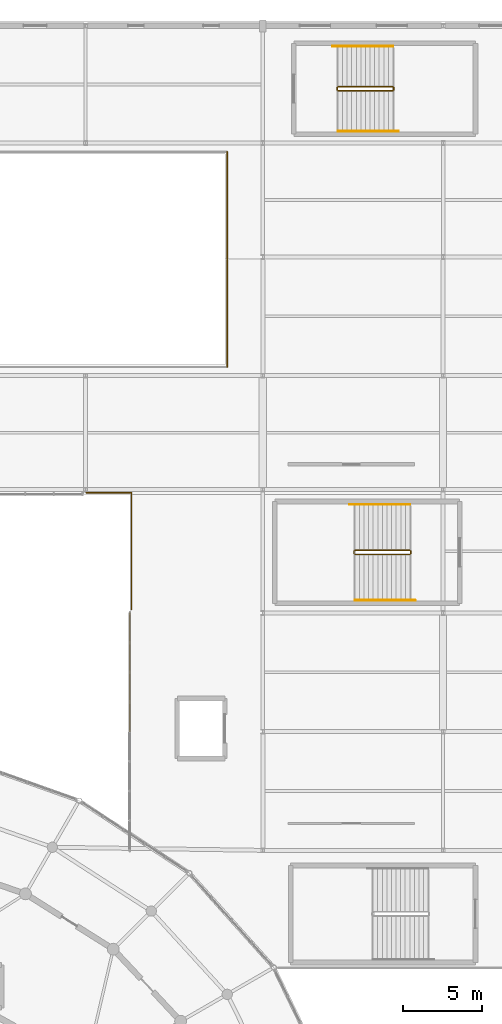
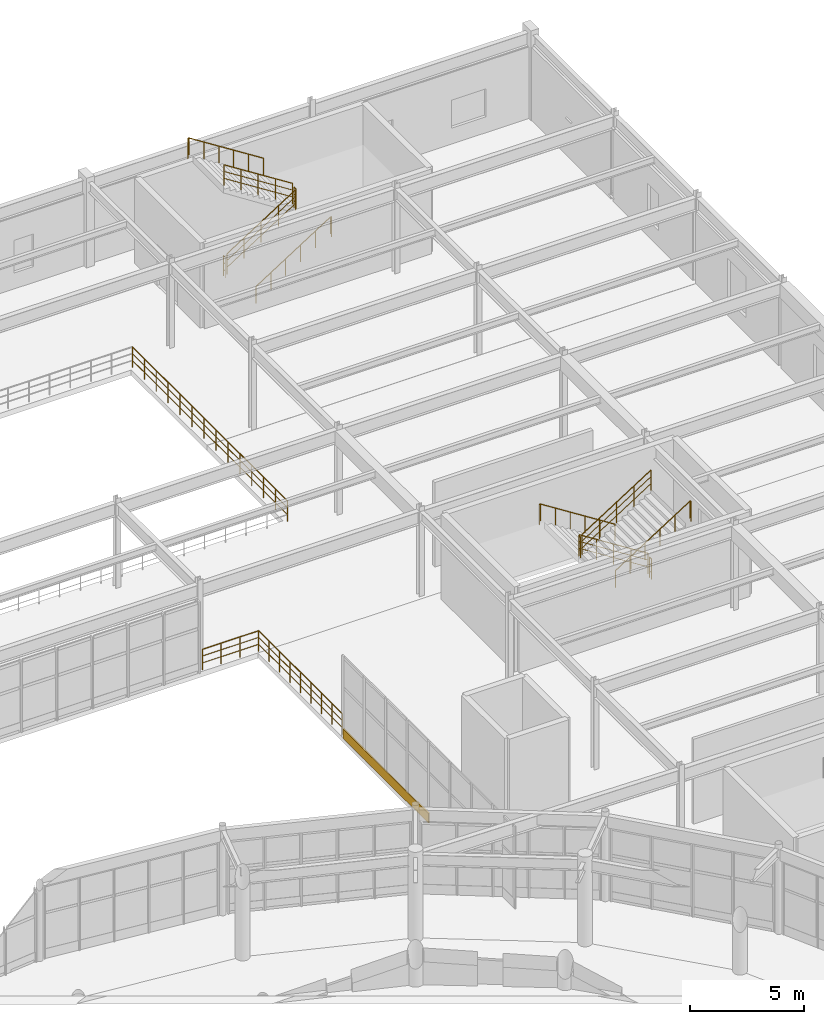
# One storey, part 144 of 144: 15 railings, 1 covering.
"""IFC4 building model written with IfcOpenShell, lengths in metres."""

from ifc_helpers import new_model, si_unit, direction, frame, origin, origin_2d, place, context, subcontext, project, spatial, rectangle, circle, extrude, material, layer, layer_set, type_object, element, save


model = new_model("IFC4")

# Units and contexts
model_context = context("Model", 3, precision=1e-05, world=origin(), true_north=direction((0.0, 1.0)))
body_context = subcontext(model_context, "Body", "Model", "MODEL_VIEW")
ifc_project = project(units=[si_unit("LENGTHUNIT", "METRE"), si_unit("AREAUNIT", "SQUARE_METRE"), si_unit("VOLUMEUNIT", "CUBIC_METRE"), si_unit("PLANEANGLEUNIT", "RADIAN"), si_unit("MASSUNIT", "GRAM", prefix="KILO")], contexts=[model_context])

# Site, building, storey
site_placement = place(None, origin())
site = spatial("IfcSite", under=ifc_project, at=site_placement, CompositionType="ELEMENT")
building_placement = place(site_placement, origin())
building = spatial("IfcBuilding", under=site, at=building_placement, Name="Cinderbank Siding Concert Hall", CompositionType="ELEMENT")
storey_placement = place(building_placement, frame((0.0, 0.0, 5.39990234375)))
storey = spatial("IfcBuildingStorey", under=building, at=storey_placement, Name="L02", CompositionType="ELEMENT", Elevation=5.39990234375)

# Railing
ifc_material_1 = material(Name="Spotted gum glulam timber GL18 (42 MPa)", Category="wood")
railing_type_1 = type_object("IfcRailingType", Name="BAL-01 Auditorium Tier Balustrade 1120mm", PredefinedType="BALUSTRADE", material=ifc_material_1)
railing_1_placement = place(storey_placement, frame((148.14990234375, 96.35009765625, 0.0)))
element("IfcRailing", 1, at=railing_1_placement, inside=storey, type_object=railing_type_1, Name="L02 OR Gallery Balustrade 1", PredefinedType="BALUSTRADE", context=body_context, shape_type="SweptSolid", body=[
    extrude(circle(Radius=0.02392578125, at=origin_2d()), frame((0.0, 0.0, 1.09619140625), z_axis=(0.0, 1.0, 0.0), x_axis=(-1.0, 0.0, 0.0)), (0.0, 0.0, 1.0), 13.599853515625),
    extrude(circle(Radius=0.01611328125, at=origin_2d()), frame((0.0, 0.0, 0.36962890625), z_axis=(0.0, 1.0, 0.0), x_axis=(-1.0, 0.0, 0.0)), (0.0, 0.0, 1.0), 13.599853515625),
    extrude(circle(Radius=0.01611328125, at=origin_2d()), frame((0.0, 0.0, 0.7392578125), z_axis=(0.0, 1.0, 0.0), x_axis=(-1.0, 0.0, 0.0)), (0.0, 0.0, 1.0), 13.599853515625),
    extrude(circle(Radius=0.02099609375, at=origin_2d()), origin(), (0.0, 0.0, 1.0), 1.072021484375),
    extrude(circle(Radius=0.02099609375, at=origin_2d()), frame((0.0, 1.046142578125, 0.0)), (0.0, 0.0, 1.0), 1.072021484375),
    extrude(circle(Radius=0.02099609375, at=origin_2d()), frame((0.0, 2.09228515625, 0.0)), (0.0, 0.0, 1.0), 1.072021484375),
    extrude(circle(Radius=0.02099609375, at=origin_2d()), frame((0.0, 3.138427734375, 0.0)), (0.0, 0.0, 1.0), 1.072021484375),
    extrude(circle(Radius=0.02099609375, at=origin_2d()), frame((0.0, 4.1845703125, 0.0)), (0.0, 0.0, 1.0), 1.072021484375),
    extrude(circle(Radius=0.02099609375, at=origin_2d()), frame((0.0, 5.230712890625, 0.0)), (0.0, 0.0, 1.0), 1.072021484375),
    extrude(circle(Radius=0.02099609375, at=origin_2d()), frame((0.0, 6.27685546875, 0.0)), (0.0, 0.0, 1.0), 1.072021484375),
    extrude(circle(Radius=0.02099609375, at=origin_2d()), frame((0.0, 7.322998046875, 0.0)), (0.0, 0.0, 1.0), 1.072021484375),
    extrude(circle(Radius=0.02099609375, at=origin_2d()), frame((0.0, 8.369140625, 0.0)), (0.0, 0.0, 1.0), 1.072021484375),
    extrude(circle(Radius=0.02099609375, at=origin_2d()), frame((0.0, 9.415283203125, 0.0)), (0.0, 0.0, 1.0), 1.072021484375),
    extrude(circle(Radius=0.02099609375, at=origin_2d()), frame((0.0, 10.46142578125, 0.0)), (0.0, 0.0, 1.0), 1.072021484375),
    extrude(circle(Radius=0.02099609375, at=origin_2d()), frame((0.0, 11.507568359375, 0.0)), (0.0, 0.0, 1.0), 1.072021484375),
    extrude(circle(Radius=0.02099609375, at=origin_2d()), frame((0.0, 12.5537109375, 0.0)), (0.0, 0.0, 1.0), 1.072021484375),
    extrude(circle(Radius=0.02099609375, at=origin_2d()), frame((0.0, 13.599853515625, 0.0)), (0.0, 0.0, 1.0), 1.072021484375),
])

# Covering
ifc_layer = layer(ifc_material_1, 0.06494140625)
ifc_layer_set = layer_set([ifc_layer], Name="Spotted gum glulam timber GL18 (42 MPa)")
covering_type = type_object("IfcCoveringType", Name="CL-01 Spotted Gum Spandrel Band 520mm", PredefinedType="CLADDING", material=ifc_layer_set)
covering_placement = place(storey_placement, frame((142.0, 77.050048828125, 0.0), z_axis=(0.0, 0.0, 1.0), x_axis=(0.0, 1.0, 0.0)))
element("IfcCovering", 2, at=covering_placement, inside=storey, type_object=covering_type, Name="CW-L02-147 Spotted Gum Spandrel Band", PredefinedType="CLADDING", context=body_context, shape_type="SweptSolid", body=[
    extrude(rectangle(XDim=7.5, YDim=0.06494140625, at=origin_2d()), origin(), (0.0, 0.0, 1.0), 0.52001953125),
])

# Railings
ifc_material_2 = material(Name="Structural steel AS/NZS 3679.1 Grade 350 (340 MPa)", Category="steel")
railing_type_2 = type_object("IfcRailingType", Name="GD-01 Terrace & Perimeter Guardrail 1120mm", PredefinedType="GUARDRAIL", material=ifc_material_2)
railing_2_placement = place(storey_placement, frame((142.10009765625, 81.0400390625, 0.0)))
element("IfcRailing", 3, at=railing_2_placement, inside=storey, type_object=railing_type_2, Name="L02 Perimeter Guardrail #31", PredefinedType="GUARDRAIL", context=body_context, shape_type="SweptSolid", body=[
    extrude(circle(Radius=0.02392578125, at=origin_2d()), frame((0.0, 0.0, 1.09619140625), z_axis=(0.0, 1.0, 0.0), x_axis=(-1.0, 0.0, 0.0)), (0.0, 0.0, 1.0), 7.35986328125),
    extrude(circle(Radius=0.01611328125, at=origin_2d()), frame((0.0, 0.0, 0.36962890625), z_axis=(0.0, 1.0, 0.0), x_axis=(-1.0, 0.0, 0.0)), (0.0, 0.0, 1.0), 7.35986328125),
    extrude(circle(Radius=0.01611328125, at=origin_2d()), frame((0.0, 0.0, 0.7392578125), z_axis=(0.0, 1.0, 0.0), x_axis=(-1.0, 0.0, 0.0)), (0.0, 0.0, 1.0), 7.35986328125),
    extrude(circle(Radius=0.02099609375, at=origin_2d()), origin(), (0.0, 0.0, 1.0), 1.072021484375),
    extrude(circle(Radius=0.02099609375, at=origin_2d()), frame((0.0, 0.919921875, 0.0)), (0.0, 0.0, 1.0), 1.072021484375),
    extrude(circle(Radius=0.02099609375, at=origin_2d()), frame((0.0, 1.83984375, 0.0)), (0.0, 0.0, 1.0), 1.072021484375),
    extrude(circle(Radius=0.02099609375, at=origin_2d()), frame((0.0, 2.760009765625, 0.0)), (0.0, 0.0, 1.0), 1.072021484375),
    extrude(circle(Radius=0.02099609375, at=origin_2d()), frame((0.0, 3.679931640625, 0.0)), (0.0, 0.0, 1.0), 1.072021484375),
    extrude(circle(Radius=0.02099609375, at=origin_2d()), frame((0.0, 4.599853515625, 0.0)), (0.0, 0.0, 1.0), 1.072021484375),
    extrude(circle(Radius=0.02099609375, at=origin_2d()), frame((0.0, 5.52001953125, 0.0)), (0.0, 0.0, 1.0), 1.072021484375),
    extrude(circle(Radius=0.02099609375, at=origin_2d()), frame((0.0, 6.43994140625, 0.0)), (0.0, 0.0, 1.0), 1.072021484375),
    extrude(circle(Radius=0.02099609375, at=origin_2d()), frame((0.0, 7.35986328125, 0.0)), (0.0, 0.0, 1.0), 1.072021484375),
])
railing_3_placement = place(storey_placement, frame((142.10009765625, 88.39990234375, 0.0)))
element("IfcRailing", 4, at=railing_3_placement, inside=storey, type_object=railing_type_2, Name="L02 Perimeter Guardrail #32", PredefinedType="GUARDRAIL", context=body_context, shape_type="SweptSolid", body=[
    extrude(circle(Radius=0.02392578125, at=origin_2d()), frame((0.0, 0.0, 1.09619140625), z_axis=(-1.0, 0.0, 0.0), x_axis=(0.0, -1.0, 0.0)), (0.0, 0.0, 1.0), 2.85302734375),
    extrude(circle(Radius=0.01611328125, at=origin_2d()), frame((0.0, 0.0, 0.36962890625), z_axis=(-1.0, 0.0, 0.0), x_axis=(0.0, -1.0, 0.0)), (0.0, 0.0, 1.0), 2.85302734375),
    extrude(circle(Radius=0.01611328125, at=origin_2d()), frame((0.0, 0.0, 0.7392578125), z_axis=(-1.0, 0.0, 0.0), x_axis=(0.0, -1.0, 0.0)), (0.0, 0.0, 1.0), 2.85302734375),
    extrude(circle(Radius=0.02099609375, at=origin_2d()), origin(), (0.0, 0.0, 1.0), 1.072021484375),
    extrude(circle(Radius=0.02099609375, at=origin_2d()), frame((-0.950927734375, 0.0, 0.0)), (0.0, 0.0, 1.0), 1.072021484375),
    extrude(circle(Radius=0.02099609375, at=origin_2d()), frame((-1.902099609375, 0.0, 0.0)), (0.0, 0.0, 1.0), 1.072021484375),
    extrude(circle(Radius=0.02099609375, at=origin_2d()), frame((-2.85302734375, 0.0, 0.0)), (0.0, 0.0, 1.0), 1.072021484375),
])
railing_type_3 = type_object("IfcRailingType", Name="STG-01 Stair Well Guardrail 1120mm", PredefinedType="GUARDRAIL", material=ifc_material_2)
railing_4_placement = place(storey_placement, frame((155.14990234375, 113.800048828125, 0.184814453125)))
element("IfcRailing", 5, at=railing_4_placement, inside=storey, type_object=railing_type_3, Name="L02 ST-07 stair guard 1", PredefinedType="GUARDRAIL", context=body_context, shape_type="SweptSolid", body=[
    extrude(circle(Radius=0.02392578125, at=origin_2d()), frame((0.0, 0.0, 1.09619140625), z_axis=(0.843573748531, 0.0, 0.537013343214), x_axis=(0.0, 1.0, 0.0)), (0.0, 0.0, 1.0), 4.125244140625),
    extrude(circle(Radius=0.01611328125, at=origin_2d()), frame((0.0, 0.0, 0.36962890625), z_axis=(0.843573748531, 0.0, 0.537013343214), x_axis=(0.0, 1.0, 0.0)), (0.0, 0.0, 1.0), 4.125244140625),
    extrude(circle(Radius=0.01611328125, at=origin_2d()), frame((0.0, 0.0, 0.7392578125), z_axis=(0.843573748531, 0.0, 0.537013343214), x_axis=(0.0, 1.0, 0.0)), (0.0, 0.0, 1.0), 4.125244140625),
    extrude(circle(Radius=0.02099609375, at=origin_2d()), origin(), (0.0, 0.0, 1.0), 1.072021484375),
    extrude(circle(Radius=0.02099609375, at=origin_2d()), frame((0.8701171875, 0.0, 0.5537109375)), (0.0, 0.0, 1.0), 1.072021484375),
    extrude(circle(Radius=0.02099609375, at=origin_2d()), frame((1.739990234375, 0.0, 1.107666015625)), (0.0, 0.0, 1.0), 1.072021484375),
    extrude(circle(Radius=0.02099609375, at=origin_2d()), frame((2.60986328125, 0.0, 1.66162109375)), (0.0, 0.0, 1.0), 1.072021484375),
    extrude(circle(Radius=0.02099609375, at=origin_2d()), frame((3.47998046875, 0.0, 2.21533203125)), (0.0, 0.0, 1.0), 1.072021484375),
])
railing_5_placement = place(storey_placement, frame((158.679931640625, 113.85009765625, 2.400146484375)))
element("IfcRailing", 6, at=railing_5_placement, inside=storey, type_object=railing_type_3, Name="L02 ST-07 stair guard 2", PredefinedType="GUARDRAIL", context=body_context, shape_type="SweptSolid", body=[
    extrude(circle(Radius=0.02392578125, at=origin_2d()), frame((0.0, 0.0, 1.09619140625), z_axis=(0.0, 1.0, 0.0), x_axis=(-1.0, 0.0, 0.0)), (0.0, 0.0, 1.0), 0.159912109375),
    extrude(circle(Radius=0.01611328125, at=origin_2d()), frame((0.0, 0.0, 0.36962890625), z_axis=(0.0, 1.0, 0.0), x_axis=(-1.0, 0.0, 0.0)), (0.0, 0.0, 1.0), 0.159912109375),
    extrude(circle(Radius=0.01611328125, at=origin_2d()), frame((0.0, 0.0, 0.7392578125), z_axis=(0.0, 1.0, 0.0), x_axis=(-1.0, 0.0, 0.0)), (0.0, 0.0, 1.0), 0.159912109375),
    extrude(circle(Radius=0.02099609375, at=origin_2d()), origin(), (0.0, 0.0, 1.0), 1.072021484375),
    extrude(circle(Radius=0.02099609375, at=origin_2d()), frame((0.0, 0.159912109375, 0.0)), (0.0, 0.0, 1.0), 1.072021484375),
])
railing_6_placement = place(storey_placement, frame((158.6298828125, 114.06005859375, 2.584716796875)))
element("IfcRailing", 7, at=railing_6_placement, inside=storey, type_object=railing_type_3, Name="L02 ST-07 stair guard 3", PredefinedType="GUARDRAIL", context=body_context, shape_type="SweptSolid", body=[
    extrude(circle(Radius=0.02392578125, at=origin_2d()), frame((0.0, 0.0, 1.09619140625), z_axis=(-0.843573748531, 0.0, 0.537013343214), x_axis=(0.0, -1.0, 0.0)), (0.0, 0.0, 1.0), 4.125244140625),
    extrude(circle(Radius=0.01611328125, at=origin_2d()), frame((0.0, 0.0, 0.36962890625), z_axis=(-0.843573748531, 0.0, 0.537013343214), x_axis=(0.0, -1.0, 0.0)), (0.0, 0.0, 1.0), 4.125244140625),
    extrude(circle(Radius=0.01611328125, at=origin_2d()), frame((0.0, 0.0, 0.7392578125), z_axis=(-0.843573748531, 0.0, 0.537013343214), x_axis=(0.0, -1.0, 0.0)), (0.0, 0.0, 1.0), 4.125244140625),
    extrude(circle(Radius=0.02099609375, at=origin_2d()), origin(), (0.0, 0.0, 1.0), 1.072021484375),
    extrude(circle(Radius=0.02099609375, at=origin_2d()), frame((-0.8701171875, 0.0, 0.5537109375)), (0.0, 0.0, 1.0), 1.072021484375),
    extrude(circle(Radius=0.02099609375, at=origin_2d()), frame((-1.739990234375, 0.0, 1.107666015625)), (0.0, 0.0, 1.0), 1.072021484375),
    extrude(circle(Radius=0.02099609375, at=origin_2d()), frame((-2.60986328125, 0.0, 1.66162109375)), (0.0, 0.0, 1.0), 1.072021484375),
    extrude(circle(Radius=0.02099609375, at=origin_2d()), frame((-3.47998046875, 0.0, 2.21533203125)), (0.0, 0.0, 1.0), 1.072021484375),
])
railing_7_placement = place(storey_placement, frame((155.10009765625, 113.85009765625, 0.0)))
element("IfcRailing", 8, at=railing_7_placement, inside=storey, type_object=railing_type_3, Name="L02 ST-07 stair guard 4", PredefinedType="GUARDRAIL", context=body_context, shape_type="SweptSolid", body=[
    extrude(circle(Radius=0.02392578125, at=origin_2d()), frame((0.0, 0.0, 1.09619140625), z_axis=(0.0, 1.0, 0.0), x_axis=(-1.0, 0.0, 0.0)), (0.0, 0.0, 1.0), 0.159912109375),
    extrude(circle(Radius=0.01611328125, at=origin_2d()), frame((0.0, 0.0, 0.36962890625), z_axis=(0.0, 1.0, 0.0), x_axis=(-1.0, 0.0, 0.0)), (0.0, 0.0, 1.0), 0.159912109375),
    extrude(circle(Radius=0.01611328125, at=origin_2d()), frame((0.0, 0.0, 0.7392578125), z_axis=(0.0, 1.0, 0.0), x_axis=(-1.0, 0.0, 0.0)), (0.0, 0.0, 1.0), 0.159912109375),
    extrude(circle(Radius=0.02099609375, at=origin_2d()), origin(), (0.0, 0.0, 1.0), 1.072021484375),
    extrude(circle(Radius=0.02099609375, at=origin_2d()), frame((0.0, 0.159912109375, 0.0)), (0.0, 0.0, 1.0), 1.072021484375),
])
railing_8_placement = place(storey_placement, frame((159.699951171875, 84.760009765625, 0.184814453125)))
element("IfcRailing", 9, at=railing_8_placement, inside=storey, type_object=railing_type_3, Name="L02 ST-11 stair guard 1", PredefinedType="GUARDRAIL", context=body_context, shape_type="SweptSolid", body=[
    extrude(circle(Radius=0.02392578125, at=origin_2d()), frame((0.0, 0.0, 1.09619140625), z_axis=(-0.843573748531, 0.0, 0.537013343214), x_axis=(0.0, -1.0, 0.0)), (0.0, 0.0, 1.0), 4.125244140625),
    extrude(circle(Radius=0.01611328125, at=origin_2d()), frame((0.0, 0.0, 0.36962890625), z_axis=(-0.843573748531, 0.0, 0.537013343214), x_axis=(0.0, -1.0, 0.0)), (0.0, 0.0, 1.0), 4.125244140625),
    extrude(circle(Radius=0.01611328125, at=origin_2d()), frame((0.0, 0.0, 0.7392578125), z_axis=(-0.843573748531, 0.0, 0.537013343214), x_axis=(0.0, -1.0, 0.0)), (0.0, 0.0, 1.0), 4.125244140625),
    extrude(circle(Radius=0.02099609375, at=origin_2d()), origin(), (0.0, 0.0, 1.0), 1.072021484375),
    extrude(circle(Radius=0.02099609375, at=origin_2d()), frame((-0.8701171875, 0.0, 0.5537109375)), (0.0, 0.0, 1.0), 1.072021484375),
    extrude(circle(Radius=0.02099609375, at=origin_2d()), frame((-1.739990234375, 0.0, 1.107666015625)), (0.0, 0.0, 1.0), 1.072021484375),
    extrude(circle(Radius=0.02099609375, at=origin_2d()), frame((-2.60986328125, 0.0, 1.66162109375)), (0.0, 0.0, 1.0), 1.072021484375),
    extrude(circle(Radius=0.02099609375, at=origin_2d()), frame((-3.47998046875, 0.0, 2.21533203125)), (0.0, 0.0, 1.0), 1.072021484375),
])
railing_9_placement = place(storey_placement, frame((156.169921875, 84.7099609375, 2.400146484375)))
element("IfcRailing", 10, at=railing_9_placement, inside=storey, type_object=railing_type_3, Name="L02 ST-11 stair guard 2", PredefinedType="GUARDRAIL", context=body_context, shape_type="SweptSolid", body=[
    extrude(circle(Radius=0.02392578125, at=origin_2d()), frame((0.0, 0.0, 1.09619140625), z_axis=(0.0, -1.0, 0.0), x_axis=(1.0, 0.0, 0.0)), (0.0, 0.0, 1.0), 0.159912109375),
    extrude(circle(Radius=0.01611328125, at=origin_2d()), frame((0.0, 0.0, 0.36962890625), z_axis=(0.0, -1.0, 0.0), x_axis=(1.0, 0.0, 0.0)), (0.0, 0.0, 1.0), 0.159912109375),
    extrude(circle(Radius=0.01611328125, at=origin_2d()), frame((0.0, 0.0, 0.7392578125), z_axis=(0.0, -1.0, 0.0), x_axis=(1.0, 0.0, 0.0)), (0.0, 0.0, 1.0), 0.159912109375),
    extrude(circle(Radius=0.02099609375, at=origin_2d()), origin(), (0.0, 0.0, 1.0), 1.072021484375),
    extrude(circle(Radius=0.02099609375, at=origin_2d()), frame((0.0, -0.159912109375, 0.0)), (0.0, 0.0, 1.0), 1.072021484375),
])
railing_10_placement = place(storey_placement, frame((156.219970703125, 84.5, 2.584716796875)))
element("IfcRailing", 11, at=railing_10_placement, inside=storey, type_object=railing_type_3, Name="L02 ST-11 stair guard 3", PredefinedType="GUARDRAIL", context=body_context, shape_type="SweptSolid", body=[
    extrude(circle(Radius=0.02392578125, at=origin_2d()), frame((0.0, 0.0, 1.09619140625), z_axis=(0.843573748531, 0.0, 0.537013343214), x_axis=(0.0, 1.0, 0.0)), (0.0, 0.0, 1.0), 4.125244140625),
    extrude(circle(Radius=0.01611328125, at=origin_2d()), frame((0.0, 0.0, 0.36962890625), z_axis=(0.843573748531, 0.0, 0.537013343214), x_axis=(0.0, 1.0, 0.0)), (0.0, 0.0, 1.0), 4.125244140625),
    extrude(circle(Radius=0.01611328125, at=origin_2d()), frame((0.0, 0.0, 0.7392578125), z_axis=(0.843573748531, 0.0, 0.537013343214), x_axis=(0.0, 1.0, 0.0)), (0.0, 0.0, 1.0), 4.125244140625),
    extrude(circle(Radius=0.02099609375, at=origin_2d()), origin(), (0.0, 0.0, 1.0), 1.072021484375),
    extrude(circle(Radius=0.02099609375, at=origin_2d()), frame((0.8701171875, 0.0, 0.5537109375)), (0.0, 0.0, 1.0), 1.072021484375),
    extrude(circle(Radius=0.02099609375, at=origin_2d()), frame((1.739990234375, 0.0, 1.107666015625)), (0.0, 0.0, 1.0), 1.072021484375),
    extrude(circle(Radius=0.02099609375, at=origin_2d()), frame((2.60986328125, 0.0, 1.66162109375)), (0.0, 0.0, 1.0), 1.072021484375),
    extrude(circle(Radius=0.02099609375, at=origin_2d()), frame((3.47998046875, 0.0, 2.21533203125)), (0.0, 0.0, 1.0), 1.072021484375),
])
railing_11_placement = place(storey_placement, frame((159.75, 84.7099609375, 0.0)))
element("IfcRailing", 12, at=railing_11_placement, inside=storey, type_object=railing_type_3, Name="L02 ST-11 stair guard 4", PredefinedType="GUARDRAIL", context=body_context, shape_type="SweptSolid", body=[
    extrude(circle(Radius=0.02392578125, at=origin_2d()), frame((0.0, 0.0, 1.09619140625), z_axis=(0.0, -1.0, 0.0), x_axis=(1.0, 0.0, 0.0)), (0.0, 0.0, 1.0), 0.159912109375),
    extrude(circle(Radius=0.01611328125, at=origin_2d()), frame((0.0, 0.0, 0.36962890625), z_axis=(0.0, -1.0, 0.0), x_axis=(1.0, 0.0, 0.0)), (0.0, 0.0, 1.0), 0.159912109375),
    extrude(circle(Radius=0.01611328125, at=origin_2d()), frame((0.0, 0.0, 0.7392578125), z_axis=(0.0, -1.0, 0.0), x_axis=(1.0, 0.0, 0.0)), (0.0, 0.0, 1.0), 0.159912109375),
    extrude(circle(Radius=0.02099609375, at=origin_2d()), origin(), (0.0, 0.0, 1.0), 1.072021484375),
    extrude(circle(Radius=0.02099609375, at=origin_2d()), frame((0.0, -0.159912109375, 0.0)), (0.0, 0.0, 1.0), 1.072021484375),
])
railing_type_4 = type_object("IfcRailingType", Name="STH-01 Stair Pitch Handrail 920mm", PredefinedType="HANDRAIL", material=ifc_material_2)
railing_12_placement = place(storey_placement, frame((155.14990234375, 111.25, 0.184814453125)))
element("IfcRailing", 13, at=railing_12_placement, inside=storey, type_object=railing_type_4, Name="L02 ST-07 stair handrail 1", PredefinedType="HANDRAIL", context=body_context, shape_type="SweptSolid", body=[
    extrude(circle(Radius=0.02392578125, at=origin_2d()), frame((0.0, 0.0, 0.89599609375), z_axis=(0.843580498726, 0.0, 0.537002739443), x_axis=(0.0, 1.0, 0.0)), (0.0, 0.0, 1.0), 4.468994140625),
    extrude(circle(Radius=0.02392578125, at=origin_2d()), frame((3.77001953125, 0.0, 3.2958984375), z_axis=(1.0, 0.0, 0.0), x_axis=(0.0, 1.0, 0.0)), (0.0, 0.0, 1.0), 0.06005859375),
    extrude(circle(Radius=0.02099609375, at=origin_2d()), origin(), (0.0, 0.0, 1.0), 0.871826171875),
    extrude(circle(Radius=0.02099609375, at=origin_2d()), frame((0.75390625, 0.0, 0.47998046875)), (0.0, 0.0, 1.0), 0.871826171875),
    extrude(circle(Radius=0.02099609375, at=origin_2d()), frame((1.508056640625, 0.0, 0.9599609375)), (0.0, 0.0, 1.0), 0.871826171875),
    extrude(circle(Radius=0.02099609375, at=origin_2d()), frame((2.261962890625, 0.0, 1.43994140625)), (0.0, 0.0, 1.0), 0.871826171875),
    extrude(circle(Radius=0.02099609375, at=origin_2d()), frame((3.01611328125, 0.0, 1.919921875)), (0.0, 0.0, 1.0), 0.871826171875),
    extrude(circle(Radius=0.02099609375, at=origin_2d()), frame((3.77001953125, 0.0, 2.39990234375)), (0.0, 0.0, 1.0), 0.871826171875),
    extrude(circle(Radius=0.02099609375, at=origin_2d()), frame((3.830078125, 0.0, 2.21533203125)), (0.0, 0.0, 1.0), 1.056396484375),
])
railing_13_placement = place(storey_placement, frame((158.6298828125, 116.610107421875, 2.584716796875)))
element("IfcRailing", 14, at=railing_13_placement, inside=storey, type_object=railing_type_4, Name="L02 ST-07 stair handrail 2", PredefinedType="HANDRAIL", context=body_context, shape_type="SweptSolid", body=[
    extrude(circle(Radius=0.02392578125, at=origin_2d()), frame((0.0, 0.0, 0.89599609375), z_axis=(-0.843564744176, 0.0, 0.537027487549), x_axis=(0.0, -1.0, 0.0)), (0.0, 0.0, 1.0), 4.46875),
    extrude(circle(Radius=0.02392578125, at=origin_2d()), frame((-3.769775390625, 0.0, 3.2958984375), z_axis=(-1.0, 0.0, 0.0), x_axis=(0.0, -1.0, 0.0)), (0.0, 0.0, 1.0), 0.06005859375),
    extrude(circle(Radius=0.02099609375, at=origin_2d()), origin(), (0.0, 0.0, 1.0), 0.871826171875),
    extrude(circle(Radius=0.02099609375, at=origin_2d()), frame((-0.75390625, 0.0, 0.47998046875)), (0.0, 0.0, 1.0), 0.871826171875),
    extrude(circle(Radius=0.02099609375, at=origin_2d()), frame((-1.5078125, 0.0, 0.9599609375)), (0.0, 0.0, 1.0), 0.871826171875),
    extrude(circle(Radius=0.02099609375, at=origin_2d()), frame((-2.261962890625, 0.0, 1.43994140625)), (0.0, 0.0, 1.0), 0.871826171875),
    extrude(circle(Radius=0.02099609375, at=origin_2d()), frame((-3.015869140625, 0.0, 1.919921875)), (0.0, 0.0, 1.0), 0.871826171875),
    extrude(circle(Radius=0.02099609375, at=origin_2d()), frame((-3.769775390625, 0.0, 2.39990234375)), (0.0, 0.0, 1.0), 0.871826171875),
    extrude(circle(Radius=0.02099609375, at=origin_2d()), frame((-3.829833984375, 0.0, 2.21533203125)), (0.0, 0.0, 1.0), 1.056396484375),
])
railing_14_placement = place(storey_placement, frame((159.699951171875, 87.659912109375, 0.184814453125)))
element("IfcRailing", 15, at=railing_14_placement, inside=storey, type_object=railing_type_4, Name="L02 ST-11 stair handrail 1", PredefinedType="HANDRAIL", context=body_context, shape_type="SweptSolid", body=[
    extrude(circle(Radius=0.02392578125, at=origin_2d()), frame((0.0, 0.0, 0.89599609375), z_axis=(-0.843580498726, 0.0, 0.537002739443), x_axis=(0.0, -1.0, 0.0)), (0.0, 0.0, 1.0), 4.468994140625),
    extrude(circle(Radius=0.02392578125, at=origin_2d()), frame((-3.77001953125, 0.0, 3.2958984375), z_axis=(-1.0, 0.0, 0.0), x_axis=(0.0, -1.0, 0.0)), (0.0, 0.0, 1.0), 0.059814453125),
    extrude(circle(Radius=0.02099609375, at=origin_2d()), origin(), (0.0, 0.0, 1.0), 0.871826171875),
    extrude(circle(Radius=0.02099609375, at=origin_2d()), frame((-0.75390625, 0.0, 0.47998046875)), (0.0, 0.0, 1.0), 0.871826171875),
    extrude(circle(Radius=0.02099609375, at=origin_2d()), frame((-1.508056640625, 0.0, 0.9599609375)), (0.0, 0.0, 1.0), 0.871826171875),
    extrude(circle(Radius=0.02099609375, at=origin_2d()), frame((-2.261962890625, 0.0, 1.43994140625)), (0.0, 0.0, 1.0), 0.871826171875),
    extrude(circle(Radius=0.02099609375, at=origin_2d()), frame((-3.01611328125, 0.0, 1.919921875)), (0.0, 0.0, 1.0), 0.871826171875),
    extrude(circle(Radius=0.02099609375, at=origin_2d()), frame((-3.77001953125, 0.0, 2.39990234375)), (0.0, 0.0, 1.0), 0.871826171875),
    extrude(circle(Radius=0.02099609375, at=origin_2d()), frame((-3.829833984375, 0.0, 2.21533203125)), (0.0, 0.0, 1.0), 1.056396484375),
])
railing_15_placement = place(storey_placement, frame((156.219970703125, 81.60009765625, 2.584716796875)))
element("IfcRailing", 16, at=railing_15_placement, inside=storey, type_object=railing_type_4, Name="L02 ST-11 stair handrail 2", PredefinedType="HANDRAIL", context=body_context, shape_type="SweptSolid", body=[
    extrude(circle(Radius=0.02392578125, at=origin_2d()), frame((0.0, 0.0, 0.89599609375), z_axis=(0.843580498726, 0.0, 0.537002739443), x_axis=(0.0, 1.0, 0.0)), (0.0, 0.0, 1.0), 4.468994140625),
    extrude(circle(Radius=0.02392578125, at=origin_2d()), frame((3.77001953125, 0.0, 3.2958984375), z_axis=(1.0, 0.0, 0.0), x_axis=(0.0, 1.0, 0.0)), (0.0, 0.0, 1.0), 0.06005859375),
    extrude(circle(Radius=0.02099609375, at=origin_2d()), origin(), (0.0, 0.0, 1.0), 0.871826171875),
    extrude(circle(Radius=0.02099609375, at=origin_2d()), frame((0.75390625, 0.0, 0.47998046875)), (0.0, 0.0, 1.0), 0.871826171875),
    extrude(circle(Radius=0.02099609375, at=origin_2d()), frame((1.508056640625, 0.0, 0.9599609375)), (0.0, 0.0, 1.0), 0.871826171875),
    extrude(circle(Radius=0.02099609375, at=origin_2d()), frame((2.261962890625, 0.0, 1.43994140625)), (0.0, 0.0, 1.0), 0.871826171875),
    extrude(circle(Radius=0.02099609375, at=origin_2d()), frame((3.01611328125, 0.0, 1.919921875)), (0.0, 0.0, 1.0), 0.871826171875),
    extrude(circle(Radius=0.02099609375, at=origin_2d()), frame((3.77001953125, 0.0, 2.39990234375)), (0.0, 0.0, 1.0), 0.871826171875),
    extrude(circle(Radius=0.02099609375, at=origin_2d()), frame((3.830078125, 0.0, 2.21533203125)), (0.0, 0.0, 1.0), 1.056396484375),
])

save(model, "model.ifc")
